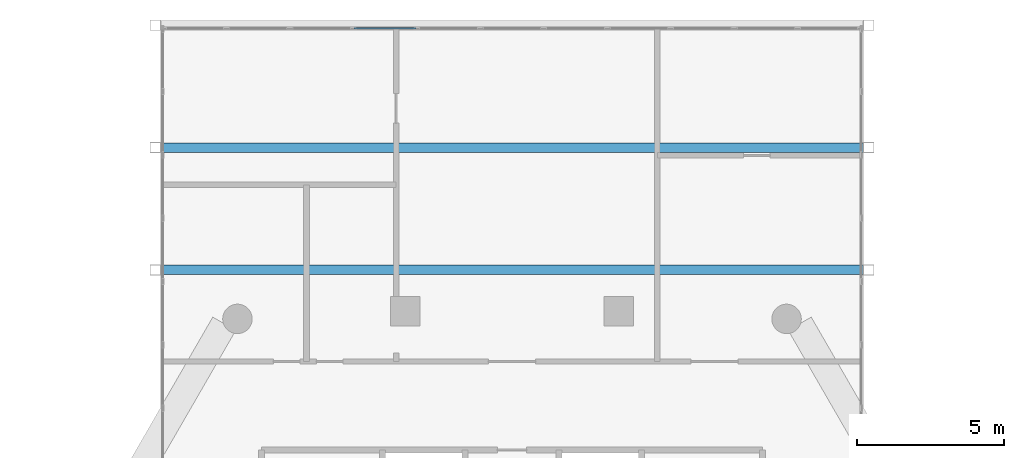
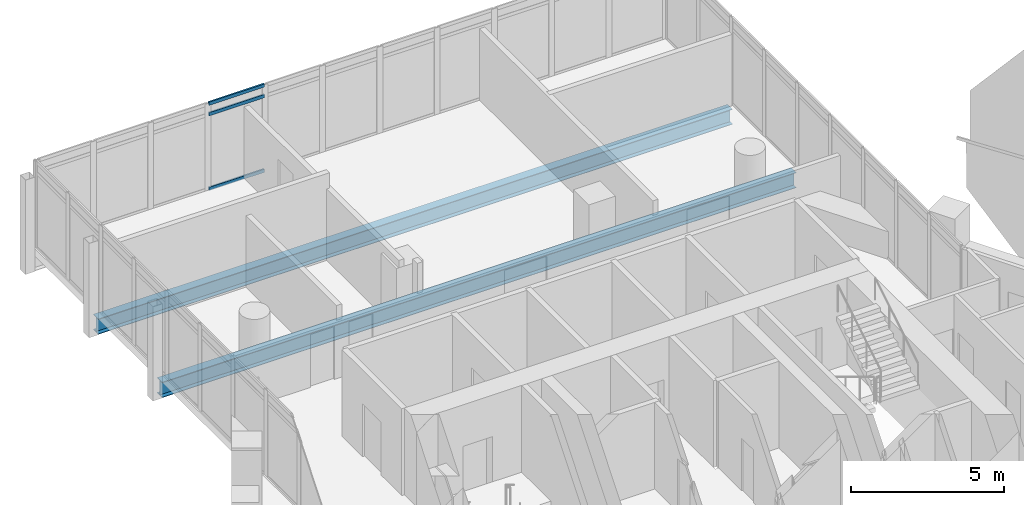
# One storey, part 19 of 37: 3 members, 2 beams, 1 element without a shape of its own.
"""IFC4 building model written with IfcOpenShell, lengths in metres."""

from ifc_helpers import new_model, si_unit, direction, frame, origin, origin_2d, place, context, subcontext, project, spatial, hollow_rectangle, i_section, extrude, material, material_profile, profile_set, type_object, element, aggregate, save


model = new_model("IFC4")

# Units and contexts
model_context = context("Model", 3, precision=1e-05, world=origin(), true_north=direction((0.0, 1.0)))
body_context = subcontext(model_context, "Body", "Model", "MODEL_VIEW")
ifc_project = project(units=[si_unit("LENGTHUNIT", "METRE"), si_unit("AREAUNIT", "SQUARE_METRE"), si_unit("VOLUMEUNIT", "CUBIC_METRE"), si_unit("PLANEANGLEUNIT", "RADIAN"), si_unit("MASSUNIT", "GRAM", prefix="KILO")], contexts=[model_context])

# Site, building, storey
site_placement = place(None, origin())
site = spatial("IfcSite", under=ifc_project, at=site_placement, CompositionType="ELEMENT")
building_placement = place(site_placement, origin())
building = spatial("IfcBuilding", under=site, at=building_placement, Name="Ostrander Bayou Hotel Tower", CompositionType="ELEMENT")
storey_placement = place(building_placement, frame((0.0, 0.0, 198.25)))
storey = spatial("IfcBuildingStorey", under=building, at=storey_placement, Name="L49", CompositionType="ELEMENT", Elevation=198.25)

# Curtain wall, members
ifc_material_1 = material(Name="Aluminium and clear glass", Category="aluminium")
curtain_wall_type = type_object("IfcCurtainWallType", Name="CW-BAR glazed wall", PredefinedType="NOTDEFINED", material=ifc_material_1)
curtain_wall_placement = place(storey_placement, origin())
curtain_wall = element("IfcCurtainWall", 1, at=curtain_wall_placement, inside=storey, type_object=curtain_wall_type, Name="CW-BAR L49:SB4N:T", PredefinedType="NOTDEFINED")
ifc_material_2 = material(Name="Aluminium", Category="aluminium")
ifc_material_profile_1 = material_profile(ifc_material_2, hollow_rectangle(XDim=0.06005859375, YDim=0.1298828125, WallThickness=0.00390625, at=origin_2d()))
ifc_profile_set_1 = profile_set([ifc_material_profile_1], Name="Aluminium")
member_type = type_object("IfcMemberType", Name="CW-BR transom 60 x 130 mm", PredefinedType="USERDEFINED", material=ifc_profile_set_1)
member_1_placement = place(storey_placement, frame((-5.359619140625, 27.916015625, 0.030029296875), z_axis=(1.0, 0.0, 0.0), x_axis=(0.0, 1.0, 0.0)))
member_1 = element("IfcMember", 2, at=member_1_placement, type_object=member_type, Name="CW-BAR transom 4.1", ObjectType="TRANSOM", PredefinedType="USERDEFINED", context=body_context, shape_type="SweptSolid", body=[
    extrude(hollow_rectangle(XDim=0.06005859375, YDim=0.1298828125, WallThickness=0.00390625, at=origin_2d()), origin(), (0.0, 0.0, 1.0), 2.095947265625),
])
member_2_placement = place(storey_placement, frame((-5.359619140625, 27.916015625, 3.0), z_axis=(1.0, 0.0, 0.0), x_axis=(0.0, 1.0, 0.0)))
member_2 = element("IfcMember", 3, at=member_2_placement, type_object=member_type, Name="CW-BAR transom 4.2", ObjectType="TRANSOM", PredefinedType="USERDEFINED", context=body_context, shape_type="SweptSolid", body=[
    extrude(hollow_rectangle(XDim=0.06005859375, YDim=0.1298828125, WallThickness=0.00390625, at=origin_2d()), origin(), (0.0, 0.0, 1.0), 2.095947265625),
])
member_3_placement = place(storey_placement, frame((-5.359619140625, 27.916015625, 3.419921875), z_axis=(1.0, 0.0, 0.0), x_axis=(0.0, 1.0, 0.0)))
member_3 = element("IfcMember", 4, at=member_3_placement, type_object=member_type, Name="CW-BAR transom 4.3", ObjectType="TRANSOM", PredefinedType="USERDEFINED", context=body_context, shape_type="SweptSolid", body=[
    extrude(hollow_rectangle(XDim=0.06005859375, YDim=0.1298828125, WallThickness=0.00390625, at=origin_2d()), origin(), (0.0, 0.0, 1.0), 2.095947265625),
])
aggregate(curtain_wall, [member_1, member_2, member_3])

# Beams
ifc_material_3 = material(Name="Steel ASTM A992", Category="steel")
ifc_material_profile_2 = material_profile(ifc_material_3, i_section(OverallWidth=0.32373046875, OverallDepth=0.611083984375, WebThickness=0.0126953125, FlangeThickness=0.01904296875, at=origin_2d()))
ifc_profile_set_2 = profile_set([ifc_material_profile_2], Name="Steel ASTM A992")
beam_type = type_object("IfcBeamType", Name="TF2 bar floor beam W24x104", PredefinedType="BEAM", material=ifc_profile_set_2)
for number, where, z_axis, x_axis, name in (
    (5, (-11.93212890625, 23.861328125, -0.605712890625), (1.0, 0.0, 0.0), (0.0, 1.0, 0.0), "TF2 SB4W L2-2"),
    (6, (-11.93212890625, 19.706787109375, -0.605712890625), (1.0, 0.0, 0.0), (0.0, 1.0, 0.0), "TF2 SB4W L2-3"),
):
    element("IfcBeam", number, at=place(storey_placement, frame(where, z_axis=z_axis, x_axis=x_axis)), inside=storey, type_object=beam_type, Name=name, PredefinedType="BEAM", context=body_context, shape_type="SweptSolid", body=[
        extrude(i_section(OverallWidth=0.32373046875, OverallDepth=0.611083984375, WebThickness=0.0126953125, FlangeThickness=0.01904296875, at=origin_2d()), origin(), (0.0, 0.0, 1.0), 23.8642578125),
    ])

save(model, "model.ifc")
